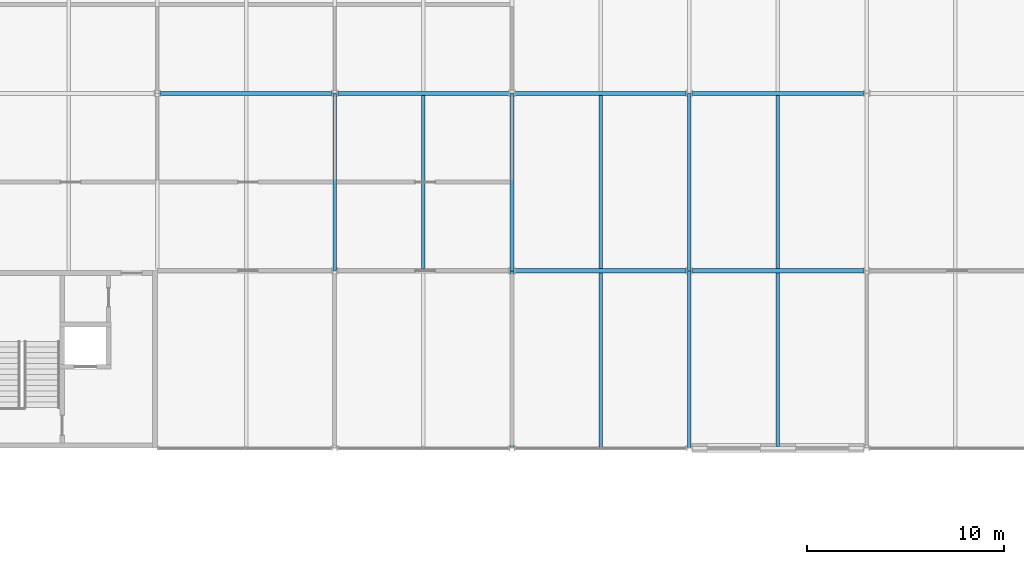
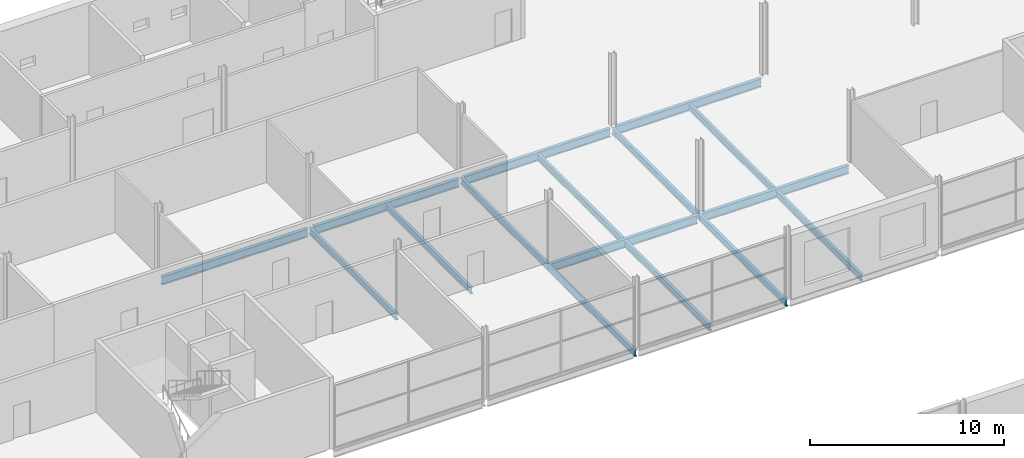
# One storey, part 36 of 97: 16 beams.
"""IFC4 building model written with IfcOpenShell, lengths in metres."""

import ifcopenshell
import ifcopenshell.guid

model = None  # the IFC model being written
_history = None  # IfcOwnerHistory: only IFC2X3 demands one
_inside = {}  # id of a spatial element -> (the spatial element, [elements in it])
_under = {}  # id of a project, library or spatial element -> (it, [spatial elements below it])
_declared = {}  # id of a project -> (the project, [libraries it declares])
_typed = {}  # id of a type object -> (the type object, [elements of that type])
_made_of = {}  # id of a material, layer set ... -> (it, [elements and type objects made of it])


def new_model(schema):
    """Start an empty IFC model of exactly this schema.

    Asked for "IFC4X3", IfcOpenShell would pick the latest addendum, in which some entities
    have other attributes; the version numbers below select the first issue.
    IFC2X3 requires an IfcOwnerHistory on every rooted entity: one is made here for all.
    """
    global model, _history
    if schema == "IFC4X3":
        model = ifcopenshell.file(schema_version=(4, 3, 0, 0))
    else:
        model = ifcopenshell.file(schema=schema)
    _inside.clear()
    _under.clear()
    _declared.clear()
    _typed.clear()
    _made_of.clear()
    _history = None
    if model.schema == "IFC2X3":
        org = make("IfcOrganization", Name="unknown")
        user = make(
            "IfcPersonAndOrganization",
            ThePerson=make("IfcPerson", FamilyName="unknown"),
            TheOrganization=org,
        )
        app = make(
            "IfcApplication",
            ApplicationDeveloper=org,
            Version="unknown",
            ApplicationFullName="unknown",
            ApplicationIdentifier="unknown",
        )
        _history = make(
            "IfcOwnerHistory",
            OwningUser=user,
            OwningApplication=app,
            ChangeAction="ADDED",
            CreationDate=0,
        )
    return model


def make(cls, **values):
    """One entity of the class cls with the attributes given. An attribute that is None is left unset."""
    return model.create_entity(
        cls, **{name: value for name, value in values.items() if value is not None}
    )


def rooted(cls, **values):
    """An entity with a GlobalId (a new one), such as an element, a storey or a relation."""
    return make(cls, GlobalId=ifcopenshell.guid.new(), OwnerHistory=_history, **values)


def si_unit(unit_type, name, prefix=None):
    """IfcSIUnit, for example si_unit("LENGTHUNIT", "METRE", prefix="MILLI")."""
    return make("IfcSIUnit", UnitType=unit_type, Prefix=prefix, Name=name)


def assignment(units):
    """IfcUnitAssignment: the units of a project."""
    return None if units is None else make("IfcUnitAssignment", Units=units)


def point(xyz):
    """IfcCartesianPoint."""
    return None if xyz is None else make("IfcCartesianPoint", Coordinates=xyz)


def direction(xyz):
    """IfcDirection."""
    return None if xyz is None else make("IfcDirection", DirectionRatios=xyz)


def frame(location, z_axis=None, x_axis=None):
    """IfcAxis2Placement3D, a coordinate frame: its origin and axes. An axis left out is left unset."""
    return make(
        "IfcAxis2Placement3D",
        Location=point(location),
        Axis=direction(z_axis),
        RefDirection=direction(x_axis),
    )


def frame_2d(location, x_axis=None):
    """IfcAxis2Placement2D, a coordinate frame in the plane: its origin and x axis."""
    return make(
        "IfcAxis2Placement2D", Location=point(location), RefDirection=direction(x_axis)
    )


def origin():
    """The frame at (0, 0, 0) with its axes left unset."""
    return frame((0.0, 0.0, 0.0))


def origin_2d():
    """The frame at (0, 0) in the plane with its x axis left unset."""
    return frame_2d((0.0, 0.0))


def place(relative_to, where):
    """IfcLocalPlacement: puts the frame where relative to a parent placement (None: the world)."""
    return make(
        "IfcLocalPlacement", PlacementRelTo=relative_to, RelativePlacement=where
    )


def context(
    kind, dimensions, precision=None, world=None, true_north=None, identifier=None
):
    """IfcGeometricRepresentationContext, for example the 3D "Model" context."""
    return make(
        "IfcGeometricRepresentationContext",
        ContextIdentifier=identifier,
        ContextType=kind,
        CoordinateSpaceDimension=dimensions,
        Precision=precision,
        WorldCoordinateSystem=world,
        TrueNorth=true_north,
    )


def subcontext(parent, identifier, kind, view, scale=None):
    """IfcGeometricRepresentationSubContext, for example "Body" below "Model"."""
    return make(
        "IfcGeometricRepresentationSubContext",
        ContextIdentifier=identifier,
        ContextType=kind,
        ParentContext=parent,
        TargetScale=scale,
        TargetView=view,
    )


def project(units=None, contexts=None):
    """IfcProject with its units and contexts."""
    return rooted(
        "IfcProject",
        Name="project",
        RepresentationContexts=contexts,
        UnitsInContext=assignment(units),
    )


def spatial(cls, under=None, at=None, **own):
    """A site, building, storey or space (cls), placed at a placement, below another one or the project."""
    s = rooted(cls, ObjectPlacement=at, **own)
    if under is not None:
        _under.setdefault(under.id(), (under, []))[1].append(s)
    return s


def profile(cls, at=None, kind="AREA", **sizes):
    """A parametric profile (cls). Its sizes go by their IFC names, for example OverallWidth=200.0."""
    return make(cls, ProfileType=kind, Position=at, **sizes)


def i_section(**sizes):
    """IfcIShapeProfileDef."""
    return profile("IfcIShapeProfileDef", **sizes)


def extrude(swept, where, along, depth):
    """IfcExtrudedAreaSolid: the profile swept, set in the frame where, extruded along a direction by depth."""
    return make(
        "IfcExtrudedAreaSolid",
        SweptArea=swept,
        Position=where,
        ExtrudedDirection=direction(along),
        Depth=depth,
    )


def shape(context_of_items, identifier, shape_type, items):
    """IfcShapeRepresentation: the items that make up one representation, for example the "Body"."""
    return make(
        "IfcShapeRepresentation",
        ContextOfItems=context_of_items,
        RepresentationIdentifier=identifier,
        RepresentationType=shape_type,
        Items=items,
    )


def material(Name=None, Category=None):
    """IfcMaterial."""
    return make("IfcMaterial", Name=Name, Category=Category)


def material_profile(
    of_material, cross_section, Name=None, Category=None, Priority=None
):
    """IfcMaterialProfile: a cross section and its material."""
    return make(
        "IfcMaterialProfile",
        Name=Name,
        Material=of_material,
        Profile=cross_section,
        Priority=Priority,
        Category=Category,
    )


def profile_set(profiles, Name=None, composite=None):
    """IfcMaterialProfileSet."""
    return make(
        "IfcMaterialProfileSet",
        Name=Name,
        MaterialProfiles=profiles,
        CompositeProfile=composite,
    )


def made_of(thing, what):
    """Note that an element or type object is made of a material, layer set ...; save() writes the relation."""
    if what is not None:
        _made_of.setdefault(what.id(), (what, []))[1].append(thing)
    return thing


def type_object(cls, material=None, **own):
    """A type object (cls), such as IfcWallType, which elements share."""
    return made_of(rooted(cls, **own), material)


def element(
    cls,
    number,
    at=None,
    inside=None,
    cuts=None,
    type_object=None,
    material=None,
    context=None,
    identifier="Body",
    shape_type=None,
    held_by="IfcProductDefinitionShape",
    body=None,
    shapes=None,
    **own,
):
    """One element of the class cls, such as IfcWall. Its Tag is "e" and its number.

    at: its placement. inside: the storey or other place that contains it. cuts: it is an
    opening in that element (IfcRelVoidsElement). A single representation is given by context,
    identifier, shape_type and body (its items); several are given by shapes. held_by: the class
    of the entity that holds the representations. save() writes the other relations.
    """
    e = rooted(cls, Tag="e%d" % number, ObjectPlacement=at, **own)
    if body is not None:
        shapes = [shape(context, identifier, shape_type, body)]
    if shapes is not None:
        e.Representation = make(held_by, Representations=shapes)
    if inside is not None:
        _inside.setdefault(inside.id(), (inside, []))[1].append(e)
    if cuts is not None:
        rooted(
            "IfcRelVoidsElement", RelatingBuildingElement=cuts, RelatedOpeningElement=e
        )
    if type_object is not None:
        _typed.setdefault(type_object.id(), (type_object, []))[1].append(e)
    return made_of(e, material)


def aggregate(whole, parts):
    """IfcRelAggregates: a whole, such as a stair, and the parts it consists of."""
    return rooted("IfcRelAggregates", RelatingObject=whole, RelatedObjects=parts)


def save(model, path):
    """Write the relations noted so far, then the file.

    IfcRelAggregates (storeys below a building ...), IfcRelContainedInSpatialStructure (elements
    in a storey), IfcRelDefinesByType, IfcRelAssociatesMaterial and IfcRelDeclares: one each for
    every whole, place, type object, material and project.
    """
    for whole, parts in _under.values():
        aggregate(whole, parts)
    for where, things in _inside.values():
        rooted(
            "IfcRelContainedInSpatialStructure",
            RelatedElements=things,
            RelatingStructure=where,
        )
    for kind, things in _typed.values():
        rooted("IfcRelDefinesByType", RelatedObjects=things, RelatingType=kind)
    for what, things in _made_of.values():
        rooted("IfcRelAssociatesMaterial", RelatedObjects=things, RelatingMaterial=what)
    for by, libraries in _declared.values():
        rooted("IfcRelDeclares", RelatingContext=by, RelatedDefinitions=libraries)
    model.write(path)


model = new_model("IFC4")

# Units and contexts
model_context = context("Model", 3, precision=1e-05, world=origin(), true_north=direction((0.0, 1.0)))
body_context = subcontext(model_context, "Body", "Model", "MODEL_VIEW")
ifc_project = project(units=[si_unit("LENGTHUNIT", "METRE"), si_unit("AREAUNIT", "SQUARE_METRE"), si_unit("VOLUMEUNIT", "CUBIC_METRE"), si_unit("PLANEANGLEUNIT", "RADIAN"), si_unit("MASSUNIT", "GRAM", prefix="KILO")], contexts=[model_context])

# Site, building, storey
site_placement = place(None, origin())
site = spatial("IfcSite", under=ifc_project, at=site_placement, CompositionType="ELEMENT")
building_placement = place(site_placement, origin())
building = spatial("IfcBuilding", under=site, at=building_placement, Name="Corbel Yard City Hall", CompositionType="ELEMENT")
storey_placement = place(building_placement, frame((0.0, 0.0, 6.0)))
storey = spatial("IfcBuildingStorey", under=building, at=storey_placement, Name="L01", CompositionType="ELEMENT", Elevation=6.0)

# Beams
ifc_material = material(Name="Steel Grade 300 (300 MPa yield)", Category="steel")
ifc_material_profile_1 = material_profile(ifc_material, i_section(OverallWidth=0.177978515625, OverallDepth=0.403076171875, WebThickness=0.007568359375, FlangeThickness=0.010986328125, at=origin_2d()), Name="410UB53.7")
ifc_profile_set_1 = profile_set([ifc_material_profile_1], Name="Steel Grade 300 (300 MPa yield)")
beam_type_1 = type_object("IfcBeamType", Name="Beam 410UB53.7", PredefinedType="BEAM", material=ifc_profile_set_1)
beam_1_placement = place(storey_placement, frame((72.0, 54.0078125, -0.3515625), z_axis=(0.0, 1.0, 0.0), x_axis=(-1.0, 0.0, 0.0)))
element("IfcBeam", 1, at=beam_1_placement, inside=storey, type_object=beam_type_1, Name="Beam 410UB53.7 SB6 L01floor", PredefinedType="BEAM", context=body_context, shape_type="SweptSolid", body=[
    extrude(i_section(OverallWidth=0.177978515625, OverallDepth=0.403076171875, WebThickness=0.007568359375, FlangeThickness=0.010986328125, at=origin_2d()), origin(), (0.0, 0.0, 1.0), 8.984375),
])
beam_2_placement = place(storey_placement, frame((81.0, 45.005859375, -0.3515625), z_axis=(0.0, 1.0, 0.0), x_axis=(-1.0, 0.0, 0.0)))
element("IfcBeam", 2, at=beam_2_placement, inside=storey, type_object=beam_type_1, Name="Beam 410UB53.7 SB6 L01floor", PredefinedType="BEAM", context=body_context, shape_type="SweptSolid", body=[
    extrude(i_section(OverallWidth=0.177978515625, OverallDepth=0.403076171875, WebThickness=0.007568359375, FlangeThickness=0.010986328125, at=origin_2d()), origin(), (0.0, 0.0, 1.0), 8.986328125),
])
beam_3_placement = place(storey_placement, frame((81.0, 54.0078125, -0.3515625), z_axis=(0.0, 1.0, 0.0), x_axis=(-1.0, 0.0, 0.0)))
element("IfcBeam", 3, at=beam_3_placement, inside=storey, type_object=beam_type_1, Name="Beam 410UB53.7 SB6 L01floor", PredefinedType="BEAM", context=body_context, shape_type="SweptSolid", body=[
    extrude(i_section(OverallWidth=0.177978515625, OverallDepth=0.403076171875, WebThickness=0.007568359375, FlangeThickness=0.010986328125, at=origin_2d()), origin(), (0.0, 0.0, 1.0), 8.984375),
])
beam_4_placement = place(storey_placement, frame((90.0, 45.005859375, -0.3515625), z_axis=(0.0, 1.0, 0.0), x_axis=(-1.0, 0.0, 0.0)))
element("IfcBeam", 4, at=beam_4_placement, inside=storey, type_object=beam_type_1, Name="Beam 410UB53.7 SB6 L01floor", PredefinedType="BEAM", context=body_context, shape_type="SweptSolid", body=[
    extrude(i_section(OverallWidth=0.177978515625, OverallDepth=0.403076171875, WebThickness=0.007568359375, FlangeThickness=0.010986328125, at=origin_2d()), origin(), (0.0, 0.0, 1.0), 8.986328125),
])
beam_5_placement = place(storey_placement, frame((90.0, 54.0078125, -0.3515625), z_axis=(0.0, 1.0, 0.0), x_axis=(-1.0, 0.0, 0.0)))
element("IfcBeam", 5, at=beam_5_placement, inside=storey, type_object=beam_type_1, Name="Beam 410UB53.7 SB6 L01floor", PredefinedType="BEAM", context=body_context, shape_type="SweptSolid", body=[
    extrude(i_section(OverallWidth=0.177978515625, OverallDepth=0.403076171875, WebThickness=0.007568359375, FlangeThickness=0.010986328125, at=origin_2d()), origin(), (0.0, 0.0, 1.0), 8.984375),
])
ifc_material_profile_2 = material_profile(ifc_material, i_section(OverallWidth=0.208984375, OverallDepth=0.528076171875, WebThickness=0.009521484375, FlangeThickness=0.01318359375, at=origin_2d()), Name="530UB82.0")
ifc_profile_set_2 = profile_set([ifc_material_profile_2], Name="Steel Grade 300 (300 MPa yield)")
beam_type_2 = type_object("IfcBeamType", Name="Girder 530UB82.0", PredefinedType="BEAM", material=ifc_profile_set_2)
for number, where, z_axis, x_axis, name in (
    (6, (81.16357421875, 54.0, -0.4140625), (1.0, 0.0, 0.0), (0.0, 1.0, 0.0), "Girder 530UB82.0 GB3 L01floor"),
    (7, (90.16357421875, 54.0, -0.4140625), (1.0, 0.0, 0.0), (0.0, 1.0, 0.0), "Girder 530UB82.0 GB3 L01floor"),
    (8, (63.16357421875, 63.0, -0.4140625), (1.0, 0.0, 0.0), (0.0, 1.0, 0.0), "Girder 530UB82.0 GB3 L01floor"),
    (9, (72.16357421875, 63.0, -0.4140625), (1.0, 0.0, 0.0), (0.0, 1.0, 0.0), "Girder 530UB82.0 GB3 L01floor"),
    (10, (81.16357421875, 63.0, -0.4140625), (1.0, 0.0, 0.0), (0.0, 1.0, 0.0), "Girder 530UB82.0 GB3 L01floor"),
    (11, (90.16357421875, 63.0, -0.4140625), (1.0, 0.0, 0.0), (0.0, 1.0, 0.0), "Girder 530UB82.0 GB3 L01floor"),
):
    element("IfcBeam", number, at=place(storey_placement, frame(where, z_axis=z_axis, x_axis=x_axis)), inside=storey, type_object=beam_type_2, Name=name, PredefinedType="BEAM", context=body_context, shape_type="SweptSolid", body=[
        extrude(i_section(OverallWidth=0.208984375, OverallDepth=0.528076171875, WebThickness=0.009521484375, FlangeThickness=0.01318359375, at=origin_2d()), origin(), (0.0, 0.0, 1.0), 8.6728515625),
    ])
ifc_material_profile_3 = material_profile(ifc_material, i_section(OverallWidth=0.177978515625, OverallDepth=0.403076171875, WebThickness=0.007568359375, FlangeThickness=0.010986328125, at=origin_2d()), Name="410UB53.7")
ifc_profile_set_3 = profile_set([ifc_material_profile_3], Name="Steel Grade 300 (300 MPa yield)")
beam_type_3 = type_object("IfcBeamType", Name="Secondary beam 410UB53.7", PredefinedType="JOIST", material=ifc_profile_set_3)
beam_6_placement = place(storey_placement, frame((76.5, 54.1044921875, -0.3515625), z_axis=(0.0, 1.0, 0.0), x_axis=(-1.0, 0.0, 0.0)))
element("IfcBeam", 12, at=beam_6_placement, inside=storey, type_object=beam_type_3, Name="Secondary beam 410UB53.7 SB5 L01floor", PredefinedType="JOIST", context=body_context, shape_type="SweptSolid", body=[
    extrude(i_section(OverallWidth=0.177978515625, OverallDepth=0.403076171875, WebThickness=0.007568359375, FlangeThickness=0.010986328125, at=origin_2d()), origin(), (0.0, 0.0, 1.0), 8.791015625),
])
beam_7_placement = place(storey_placement, frame((85.5, 45.089111328125, -0.3515625), z_axis=(0.0, 1.0, 0.0), x_axis=(-1.0, 0.0, 0.0)))
element("IfcBeam", 13, at=beam_7_placement, inside=storey, type_object=beam_type_3, Name="Secondary beam 410UB53.7 SB5 L01floor", PredefinedType="JOIST", context=body_context, shape_type="SweptSolid", body=[
    extrude(i_section(OverallWidth=0.177978515625, OverallDepth=0.403076171875, WebThickness=0.007568359375, FlangeThickness=0.010986328125, at=origin_2d()), origin(), (0.0, 0.0, 1.0), 8.806396484375),
])
beam_8_placement = place(storey_placement, frame((85.5, 54.1044921875, -0.3515625), z_axis=(0.0, 1.0, 0.0), x_axis=(-1.0, 0.0, 0.0)))
element("IfcBeam", 14, at=beam_8_placement, inside=storey, type_object=beam_type_3, Name="Secondary beam 410UB53.7 SB5 L01floor", PredefinedType="JOIST", context=body_context, shape_type="SweptSolid", body=[
    extrude(i_section(OverallWidth=0.177978515625, OverallDepth=0.403076171875, WebThickness=0.007568359375, FlangeThickness=0.010986328125, at=origin_2d()), origin(), (0.0, 0.0, 1.0), 8.791015625),
])
beam_9_placement = place(storey_placement, frame((94.5, 45.089111328125, -0.3515625), z_axis=(0.0, 1.0, 0.0), x_axis=(-1.0, 0.0, 0.0)))
element("IfcBeam", 15, at=beam_9_placement, inside=storey, type_object=beam_type_3, Name="Secondary beam 410UB53.7 SB5 L01floor", PredefinedType="JOIST", context=body_context, shape_type="SweptSolid", body=[
    extrude(i_section(OverallWidth=0.177978515625, OverallDepth=0.403076171875, WebThickness=0.007568359375, FlangeThickness=0.010986328125, at=origin_2d()), origin(), (0.0, 0.0, 1.0), 8.806396484375),
])
beam_10_placement = place(storey_placement, frame((94.5, 54.1044921875, -0.3515625), z_axis=(0.0, 1.0, 0.0), x_axis=(-1.0, 0.0, 0.0)))
element("IfcBeam", 16, at=beam_10_placement, inside=storey, type_object=beam_type_3, Name="Secondary beam 410UB53.7 SB5 L01floor", PredefinedType="JOIST", context=body_context, shape_type="SweptSolid", body=[
    extrude(i_section(OverallWidth=0.177978515625, OverallDepth=0.403076171875, WebThickness=0.007568359375, FlangeThickness=0.010986328125, at=origin_2d()), origin(), (0.0, 0.0, 1.0), 8.791015625),
])

save(model, "model.ifc")
